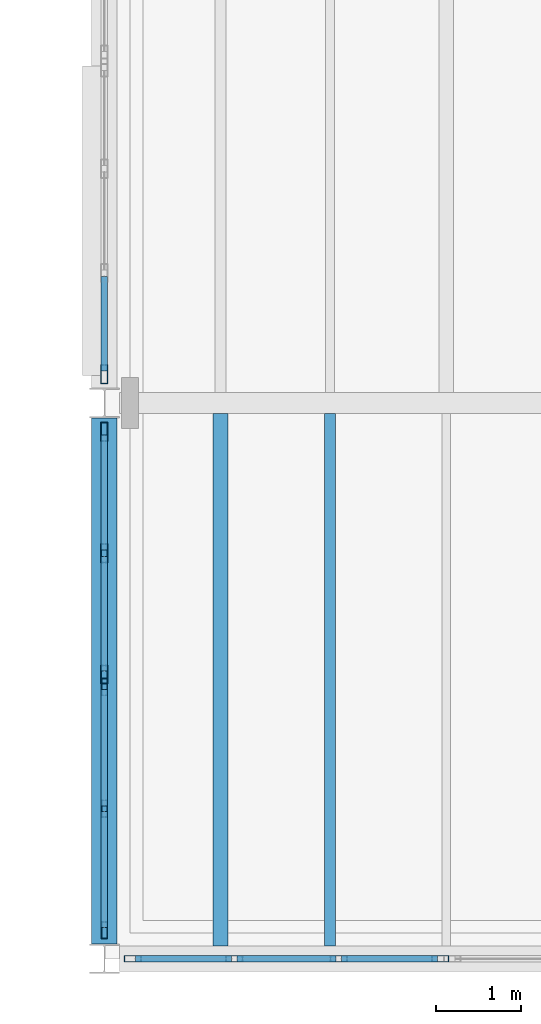
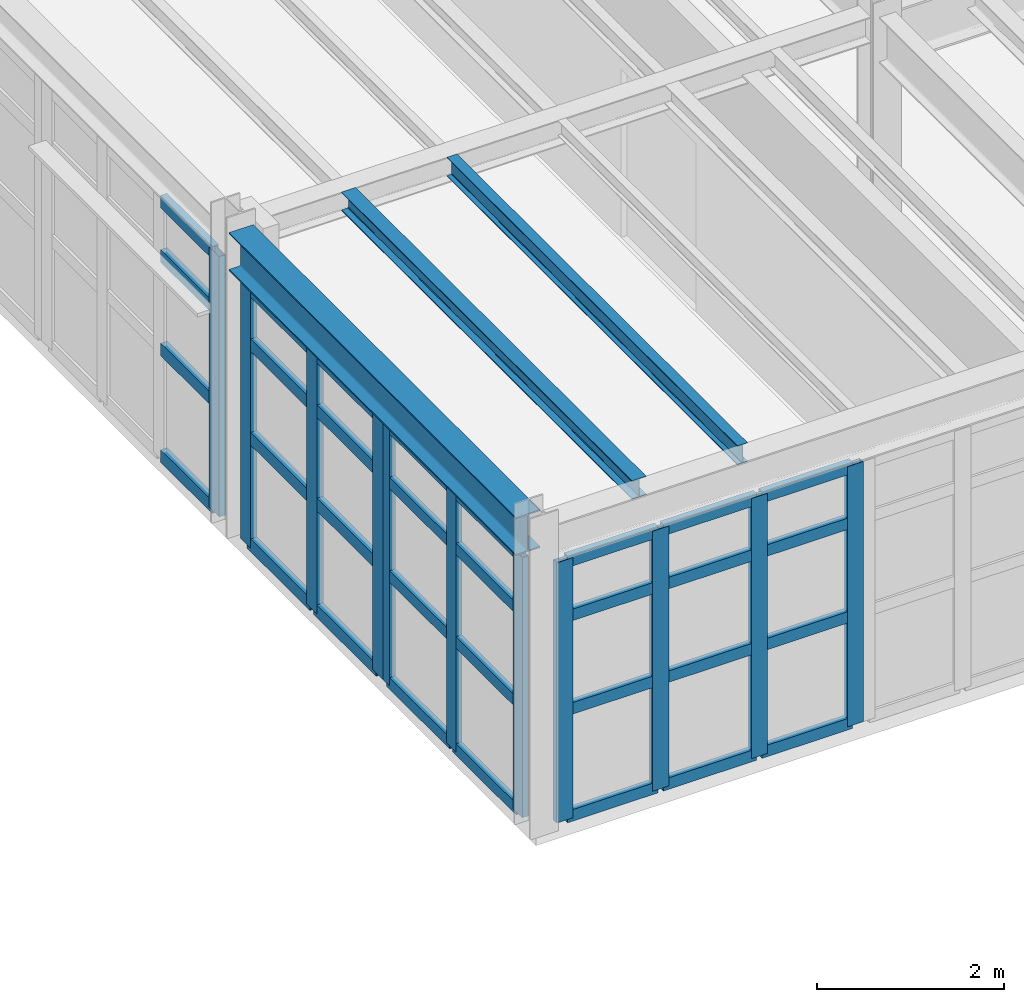
# One storey, part 26 of 77: 43 members, 3 beams, 4 elements without a shape of their own.
"""IFC4 building model written with IfcOpenShell, lengths in metres."""

from ifc_helpers import new_model, si_unit, direction, frame, origin, origin_2d, place, context, subcontext, project, spatial, hollow_rectangle, i_section, extrude, material, material_profile, profile_set, type_object, element, aggregate, save


model = new_model("IFC4")

# Units and contexts
model_context = context("Model", 3, precision=1e-05, world=origin(), true_north=direction((0.0, 1.0)))
body_context = subcontext(model_context, "Body", "Model", "MODEL_VIEW")
ifc_project = project(units=[si_unit("LENGTHUNIT", "METRE"), si_unit("AREAUNIT", "SQUARE_METRE"), si_unit("VOLUMEUNIT", "CUBIC_METRE"), si_unit("PLANEANGLEUNIT", "RADIAN"), si_unit("MASSUNIT", "GRAM", prefix="KILO"), si_unit("THERMODYNAMICTEMPERATUREUNIT", "KELVIN"), si_unit("POWERUNIT", "WATT")], contexts=[model_context])

# Site, building, storey
site_placement = place(None, origin())
site = spatial("IfcSite", under=ifc_project, at=site_placement, CompositionType="ELEMENT")
building_placement = place(site_placement, origin())
building = spatial("IfcBuilding", under=site, at=building_placement, Name="Zhenchuan Central Fire Station", CompositionType="ELEMENT")
storey_placement = place(building_placement, frame((0.0, 0.0, 10.050048828125)))
storey = spatial("IfcBuildingStorey", under=building, at=storey_placement, Name="L03", CompositionType="ELEMENT", Elevation=10.050048828125)

# Beam
ifc_material_1 = material(Name="Steel Q355B", Category="steel")
ifc_material_profile_1 = material_profile(ifc_material_1, i_section(OverallWidth=0.300048828125, OverallDepth=0.5, WebThickness=0.010986328125, FlangeThickness=0.01806640625, FilletRadius=0.02197265625, at=origin_2d()), Name="HM 500x300")
ifc_profile_set_1 = profile_set([ifc_material_profile_1], Name="Steel Q355B")
beam_type_1 = type_object("IfcBeamType", Name="BM-HM500-INT", PredefinedType="BEAM", material=ifc_profile_set_1)
beam_1_placement = place(storey_placement, frame((140.0, 0.175048828125, 3.75), z_axis=(0.0, 1.0, 0.0), x_axis=(-1.0, 0.0, 0.0)))
element("IfcBeam", 1, at=beam_1_placement, inside=storey, type_object=beam_type_1, Name="L04 Girder NS 0402", PredefinedType="BEAM", context=body_context, shape_type="SweptSolid", body=[
    extrude(i_section(OverallWidth=0.300048828125, OverallDepth=0.5, WebThickness=0.010986328125, FlangeThickness=0.01806640625, FilletRadius=0.02197265625, at=origin_2d()), origin(), (0.0, 0.0, 1.0), 6.14990234375),
])

# Curtain wall, members
ifc_material_2 = material(Name="Anodised aluminium and low-E glazing", Category="aluminium")
curtain_wall_type_1 = type_object("IfcCurtainWallType", Name="CW-MOD-05", PredefinedType="USERDEFINED", material=ifc_material_2)
curtain_wall_1_placement = place(storey_placement, origin())
curtain_wall_1 = element("IfcCurtainWall", 2, at=curtain_wall_1_placement, inside=storey, type_object=curtain_wall_type_1, Name="L03 Unitised Curtain Wall 100", ObjectType="UNITISED GLAZING", PredefinedType="USERDEFINED")
ifc_material_3 = material(Name="Anodised aluminium EN AW-6063", Category="aluminium")
ifc_material_profile_2 = material_profile(ifc_material_3, hollow_rectangle(XDim=0.074951171875, YDim=0.199951171875, WallThickness=0.0048828125, at=origin_2d()), Name="ALU-M 200x75")
ifc_profile_set_2 = profile_set([ifc_material_profile_2], Name="Anodised aluminium EN AW-6063")
member_type_1 = type_object("IfcMemberType", Name="CW-MUL160", PredefinedType="MULLION", material=ifc_profile_set_2)
member_1_placement = place(storey_placement, frame((140.33251953125, 0.0, -0.004150390625), z_axis=(0.0, 0.0, 1.0), x_axis=(0.0, 1.0, 0.0)))
member_1 = element("IfcMember", 3, at=member_1_placement, type_object=member_type_1, Name="CW-05 mullion 1", PredefinedType="MULLION", context=body_context, shape_type="SweptSolid", body=[
    extrude(hollow_rectangle(XDim=0.074951171875, YDim=0.199951171875, WallThickness=0.0048828125, at=origin_2d()), origin(), (0.0, 0.0, 1.0), 3.404052734375),
])
member_2_placement = place(storey_placement, frame((141.520751953125, 0.0, -0.004150390625), z_axis=(0.0, 0.0, 1.0), x_axis=(0.0, 1.0, 0.0)))
member_2 = element("IfcMember", 4, at=member_2_placement, type_object=member_type_1, Name="CW-05 mullion 2", PredefinedType="MULLION", context=body_context, shape_type="SweptSolid", body=[
    extrude(hollow_rectangle(XDim=0.074951171875, YDim=0.199951171875, WallThickness=0.0048828125, at=origin_2d()), origin(), (0.0, 0.0, 1.0), 3.404052734375),
])
member_3_placement = place(storey_placement, frame((142.741455078125, 0.0, -0.004150390625), z_axis=(0.0, 0.0, 1.0), x_axis=(0.0, 1.0, 0.0)))
member_3 = element("IfcMember", 5, at=member_3_placement, type_object=member_type_1, Name="CW-05 mullion 3", PredefinedType="MULLION", context=body_context, shape_type="SweptSolid", body=[
    extrude(hollow_rectangle(XDim=0.074951171875, YDim=0.199951171875, WallThickness=0.0048828125, at=origin_2d()), origin(), (0.0, 0.0, 1.0), 3.404052734375),
])
member_4_placement = place(storey_placement, frame((143.929443359375, 0.0, -0.004150390625), z_axis=(0.0, 0.0, 1.0), x_axis=(0.0, 1.0, 0.0)))
member_4 = element("IfcMember", 6, at=member_4_placement, type_object=member_type_1, Name="CW-05 mullion 4", PredefinedType="MULLION", context=body_context, shape_type="SweptSolid", body=[
    extrude(hollow_rectangle(XDim=0.074951171875, YDim=0.199951171875, WallThickness=0.0048828125, at=origin_2d()), origin(), (0.0, 0.0, 1.0), 3.404052734375),
])

curtain_wall_type_2 = type_object("IfcCurtainWallType", Name="CW-MOD-11", PredefinedType="USERDEFINED", material=ifc_material_2)
curtain_wall_2_placement = place(storey_placement, origin())
curtain_wall_2 = element("IfcCurtainWall", 7, at=curtain_wall_2_placement, inside=storey, type_object=curtain_wall_type_2, Name="L03 Unitised Curtain Wall 112", ObjectType="UNITISED GLAZING", PredefinedType="USERDEFINED")
member_5_placement = place(storey_placement, frame((140.0, 0.33251953125, -0.004150390625), z_axis=(0.0, 0.0, 1.0), x_axis=(-1.0, 0.0, 0.0)))
member_5 = element("IfcMember", 8, at=member_5_placement, type_object=member_type_1, Name="CW-11 mullion 1", PredefinedType="MULLION", context=body_context, shape_type="SweptSolid", body=[
    extrude(hollow_rectangle(XDim=0.074951171875, YDim=0.199951171875, WallThickness=0.0048828125, at=origin_2d()), origin(), (0.0, 0.0, 1.0), 3.404052734375),
])
member_6_placement = place(storey_placement, frame((140.0, 1.756103515625, -0.004150390625), z_axis=(0.0, 0.0, 1.0), x_axis=(-1.0, 0.0, 0.0)))
member_6 = element("IfcMember", 9, at=member_6_placement, type_object=member_type_1, Name="CW-11 mullion 2", PredefinedType="MULLION", context=body_context, shape_type="SweptSolid", body=[
    extrude(hollow_rectangle(XDim=0.074951171875, YDim=0.199951171875, WallThickness=0.0048828125, at=origin_2d()), origin(), (0.0, 0.0, 1.0), 3.404052734375),
])
member_7_placement = place(storey_placement, frame((140.0, 3.179443359375, -0.004150390625), z_axis=(0.0, 0.0, 1.0), x_axis=(-1.0, 0.0, 0.0)))
member_7 = element("IfcMember", 10, at=member_7_placement, type_object=member_type_1, Name="CW-11 mullion 3", PredefinedType="MULLION", context=body_context, shape_type="SweptSolid", body=[
    extrude(hollow_rectangle(XDim=0.074951171875, YDim=0.199951171875, WallThickness=0.0048828125, at=origin_2d()), origin(), (0.0, 0.0, 1.0), 3.404052734375),
])

curtain_wall_type_3 = type_object("IfcCurtainWallType", Name="CW-MOD-12", PredefinedType="USERDEFINED", material=ifc_material_2)
curtain_wall_3_placement = place(storey_placement, origin())
curtain_wall_3 = element("IfcCurtainWall", 11, at=curtain_wall_3_placement, inside=storey, type_object=curtain_wall_type_3, Name="L03 Unitised Curtain Wall 113", ObjectType="UNITISED GLAZING", PredefinedType="USERDEFINED")
ifc_material_profile_3 = material_profile(ifc_material_3, hollow_rectangle(XDim=0.080078125, YDim=0.219970703125, WallThickness=0.005615234375, at=origin_2d()), Name="ALU-M 220x80")
ifc_profile_set_3 = profile_set([ifc_material_profile_3], Name="Anodised aluminium EN AW-6063")
member_type_2 = type_object("IfcMemberType", Name="CW-MUL200", PredefinedType="MULLION", material=ifc_profile_set_3)
member_8_placement = place(storey_placement, frame((140.0, 3.325439453125, -0.004150390625), z_axis=(0.0, 0.0, 1.0), x_axis=(-1.0, 0.0, 0.0)))
member_8 = element("IfcMember", 12, at=member_8_placement, type_object=member_type_2, Name="CW-12 mullion 1", PredefinedType="MULLION", context=body_context, shape_type="SweptSolid", body=[
    extrude(hollow_rectangle(XDim=0.080078125, YDim=0.219970703125, WallThickness=0.005615234375, at=origin_2d()), origin(), (0.0, 0.0, 1.0), 3.404052734375),
])
member_9_placement = place(storey_placement, frame((140.0, 4.743896484375, -0.004150390625), z_axis=(0.0, 0.0, 1.0), x_axis=(-1.0, 0.0, 0.0)))
member_9 = element("IfcMember", 13, at=member_9_placement, type_object=member_type_2, Name="CW-12 mullion 2", PredefinedType="MULLION", context=body_context, shape_type="SweptSolid", body=[
    extrude(hollow_rectangle(XDim=0.080078125, YDim=0.219970703125, WallThickness=0.005615234375, at=origin_2d()), origin(), (0.0, 0.0, 1.0), 3.404052734375),
])
member_10_placement = place(storey_placement, frame((140.0, 6.16259765625, -0.004150390625), z_axis=(0.0, 0.0, 1.0), x_axis=(-1.0, 0.0, 0.0)))
member_10 = element("IfcMember", 14, at=member_10_placement, type_object=member_type_2, Name="CW-12 mullion 3", PredefinedType="MULLION", context=body_context, shape_type="SweptSolid", body=[
    extrude(hollow_rectangle(XDim=0.080078125, YDim=0.219970703125, WallThickness=0.005615234375, at=origin_2d()), origin(), (0.0, 0.0, 1.0), 3.404052734375),
])

# Curtain wall, member
curtain_wall_4_placement = place(storey_placement, origin())
curtain_wall_4 = element("IfcCurtainWall", 15, at=curtain_wall_4_placement, inside=storey, type_object=curtain_wall_type_3, Name="L03 Unitised Curtain Wall 114", ObjectType="UNITISED GLAZING", PredefinedType="USERDEFINED")
member_11_placement = place(storey_placement, frame((140.0, 6.83740234375, -0.004150390625), z_axis=(0.0, 0.0, 1.0), x_axis=(-1.0, 0.0, 0.0)))
member_11 = element("IfcMember", 16, at=member_11_placement, type_object=member_type_2, Name="CW-12 mullion 1", PredefinedType="MULLION", context=body_context, shape_type="SweptSolid", body=[
    extrude(hollow_rectangle(XDim=0.080078125, YDim=0.219970703125, WallThickness=0.005615234375, at=origin_2d()), origin(), (0.0, 0.0, 1.0), 3.404052734375),
])

# Member
ifc_material_profile_4 = material_profile(ifc_material_3, hollow_rectangle(XDim=0.074951171875, YDim=0.14990234375, WallThickness=0.0048828125, at=origin_2d()), Name="ALU-T 150x75")
ifc_profile_set_4 = profile_set([ifc_material_profile_4], Name="Anodised aluminium EN AW-6063")
member_type_3 = type_object("IfcMemberType", Name="CW-TRN130", PredefinedType="NOTDEFINED", material=ifc_profile_set_4)
member_12_placement = place(storey_placement, frame((140.364990234375, 0.0, 0.028564453125), z_axis=(1.0, 0.0, 0.0), x_axis=(0.0, 1.0, 0.0)))
member_12 = element("IfcMember", 17, at=member_12_placement, type_object=member_type_3, Name="CW-05 transom 1.1", ObjectType="TRANSOM", PredefinedType="USERDEFINED", context=body_context, shape_type="SweptSolid", body=[
    extrude(hollow_rectangle(XDim=0.074951171875, YDim=0.14990234375, WallThickness=0.0048828125, at=origin_2d()), origin(), (0.0, 0.0, 1.0), 1.123291015625),
])

member_13_placement = place(storey_placement, frame((140.364990234375, 0.0, 1.427978515625), z_axis=(1.0, 0.0, 0.0), x_axis=(0.0, 1.0, 0.0)))
member_13 = element("IfcMember", 18, at=member_13_placement, type_object=member_type_3, Name="CW-05 transom 1.2", ObjectType="TRANSOM", PredefinedType="USERDEFINED", context=body_context, shape_type="SweptSolid", body=[
    extrude(hollow_rectangle(XDim=0.074951171875, YDim=0.14990234375, WallThickness=0.0048828125, at=origin_2d()), origin(), (0.0, 0.0, 1.0), 1.123291015625),
])

member_14_placement = place(storey_placement, frame((140.364990234375, 0.0, 2.65185546875), z_axis=(1.0, 0.0, 0.0), x_axis=(0.0, 1.0, 0.0)))
member_14 = element("IfcMember", 19, at=member_14_placement, type_object=member_type_3, Name="CW-05 transom 1.3", ObjectType="TRANSOM", PredefinedType="USERDEFINED", context=body_context, shape_type="SweptSolid", body=[
    extrude(hollow_rectangle(XDim=0.074951171875, YDim=0.14990234375, WallThickness=0.0048828125, at=origin_2d()), origin(), (0.0, 0.0, 1.0), 1.123291015625),
])

member_15_placement = place(storey_placement, frame((140.364990234375, 0.0, 3.367431640625), z_axis=(1.0, 0.0, 0.0), x_axis=(0.0, 1.0, 0.0)))
member_15 = element("IfcMember", 20, at=member_15_placement, type_object=member_type_3, Name="CW-05 transom 1.4", ObjectType="TRANSOM", PredefinedType="USERDEFINED", context=body_context, shape_type="SweptSolid", body=[
    extrude(hollow_rectangle(XDim=0.074951171875, YDim=0.14990234375, WallThickness=0.0048828125, at=origin_2d()), origin(), (0.0, 0.0, 1.0), 1.123291015625),
])

member_16_placement = place(storey_placement, frame((141.55322265625, 0.0, 0.028564453125), z_axis=(1.0, 0.0, 0.0), x_axis=(0.0, 1.0, 0.0)))
member_16 = element("IfcMember", 21, at=member_16_placement, type_object=member_type_3, Name="CW-05 transom 2.1", ObjectType="TRANSOM", PredefinedType="USERDEFINED", context=body_context, shape_type="SweptSolid", body=[
    extrude(hollow_rectangle(XDim=0.074951171875, YDim=0.14990234375, WallThickness=0.0048828125, at=origin_2d()), origin(), (0.0, 0.0, 1.0), 1.155517578125),
])

member_17_placement = place(storey_placement, frame((141.55322265625, 0.0, 1.427978515625), z_axis=(1.0, 0.0, 0.0), x_axis=(0.0, 1.0, 0.0)))
member_17 = element("IfcMember", 22, at=member_17_placement, type_object=member_type_3, Name="CW-05 transom 2.2", ObjectType="TRANSOM", PredefinedType="USERDEFINED", context=body_context, shape_type="SweptSolid", body=[
    extrude(hollow_rectangle(XDim=0.074951171875, YDim=0.14990234375, WallThickness=0.0048828125, at=origin_2d()), origin(), (0.0, 0.0, 1.0), 1.155517578125),
])

member_18_placement = place(storey_placement, frame((141.55322265625, 0.0, 2.65185546875), z_axis=(1.0, 0.0, 0.0), x_axis=(0.0, 1.0, 0.0)))
member_18 = element("IfcMember", 23, at=member_18_placement, type_object=member_type_3, Name="CW-05 transom 2.3", ObjectType="TRANSOM", PredefinedType="USERDEFINED", context=body_context, shape_type="SweptSolid", body=[
    extrude(hollow_rectangle(XDim=0.074951171875, YDim=0.14990234375, WallThickness=0.0048828125, at=origin_2d()), origin(), (0.0, 0.0, 1.0), 1.155517578125),
])

member_19_placement = place(storey_placement, frame((141.55322265625, 0.0, 3.367431640625), z_axis=(1.0, 0.0, 0.0), x_axis=(0.0, 1.0, 0.0)))
member_19 = element("IfcMember", 24, at=member_19_placement, type_object=member_type_3, Name="CW-05 transom 2.4", ObjectType="TRANSOM", PredefinedType="USERDEFINED", context=body_context, shape_type="SweptSolid", body=[
    extrude(hollow_rectangle(XDim=0.074951171875, YDim=0.14990234375, WallThickness=0.0048828125, at=origin_2d()), origin(), (0.0, 0.0, 1.0), 1.155517578125),
])

member_20_placement = place(storey_placement, frame((142.77392578125, 0.0, 0.028564453125), z_axis=(1.0, 0.0, 0.0), x_axis=(0.0, 1.0, 0.0)))
member_20 = element("IfcMember", 25, at=member_20_placement, type_object=member_type_3, Name="CW-05 transom 3.1", ObjectType="TRANSOM", PredefinedType="USERDEFINED", context=body_context, shape_type="SweptSolid", body=[
    extrude(hollow_rectangle(XDim=0.074951171875, YDim=0.14990234375, WallThickness=0.0048828125, at=origin_2d()), origin(), (0.0, 0.0, 1.0), 1.123046875),
])

member_21_placement = place(storey_placement, frame((142.77392578125, 0.0, 1.427978515625), z_axis=(1.0, 0.0, 0.0), x_axis=(0.0, 1.0, 0.0)))
member_21 = element("IfcMember", 26, at=member_21_placement, type_object=member_type_3, Name="CW-05 transom 3.2", ObjectType="TRANSOM", PredefinedType="USERDEFINED", context=body_context, shape_type="SweptSolid", body=[
    extrude(hollow_rectangle(XDim=0.074951171875, YDim=0.14990234375, WallThickness=0.0048828125, at=origin_2d()), origin(), (0.0, 0.0, 1.0), 1.123046875),
])

member_22_placement = place(storey_placement, frame((142.77392578125, 0.0, 2.65185546875), z_axis=(1.0, 0.0, 0.0), x_axis=(0.0, 1.0, 0.0)))
member_22 = element("IfcMember", 27, at=member_22_placement, type_object=member_type_3, Name="CW-05 transom 3.3", ObjectType="TRANSOM", PredefinedType="USERDEFINED", context=body_context, shape_type="SweptSolid", body=[
    extrude(hollow_rectangle(XDim=0.074951171875, YDim=0.14990234375, WallThickness=0.0048828125, at=origin_2d()), origin(), (0.0, 0.0, 1.0), 1.123046875),
])

member_23_placement = place(storey_placement, frame((142.77392578125, 0.0, 3.367431640625), z_axis=(1.0, 0.0, 0.0), x_axis=(0.0, 1.0, 0.0)))
member_23 = element("IfcMember", 28, at=member_23_placement, type_object=member_type_3, Name="CW-05 transom 3.4", ObjectType="TRANSOM", PredefinedType="USERDEFINED", context=body_context, shape_type="SweptSolid", body=[
    extrude(hollow_rectangle(XDim=0.074951171875, YDim=0.14990234375, WallThickness=0.0048828125, at=origin_2d()), origin(), (0.0, 0.0, 1.0), 1.123046875),
])

aggregate(curtain_wall_1, [member_1, member_2, member_3, member_4, member_12, member_13, member_14, member_15, member_16, member_17, member_18, member_19, member_20, member_21, member_22, member_23])

member_24_placement = place(storey_placement, frame((140.0, 0.364990234375, 0.028564453125), z_axis=(0.0, 1.0, 0.0), x_axis=(-1.0, 0.0, 0.0)))
member_24 = element("IfcMember", 29, at=member_24_placement, type_object=member_type_3, Name="CW-11 transom 1.1", ObjectType="TRANSOM", PredefinedType="USERDEFINED", context=body_context, shape_type="SweptSolid", body=[
    extrude(hollow_rectangle(XDim=0.074951171875, YDim=0.14990234375, WallThickness=0.0048828125, at=origin_2d()), origin(), (0.0, 0.0, 1.0), 1.3583984375),
])

member_25_placement = place(storey_placement, frame((140.0, 0.364990234375, 1.427978515625), z_axis=(0.0, 1.0, 0.0), x_axis=(-1.0, 0.0, 0.0)))
member_25 = element("IfcMember", 30, at=member_25_placement, type_object=member_type_3, Name="CW-11 transom 1.2", ObjectType="TRANSOM", PredefinedType="USERDEFINED", context=body_context, shape_type="SweptSolid", body=[
    extrude(hollow_rectangle(XDim=0.074951171875, YDim=0.14990234375, WallThickness=0.0048828125, at=origin_2d()), origin(), (0.0, 0.0, 1.0), 1.3583984375),
])

member_26_placement = place(storey_placement, frame((140.0, 0.364990234375, 2.65185546875), z_axis=(0.0, 1.0, 0.0), x_axis=(-1.0, 0.0, 0.0)))
member_26 = element("IfcMember", 31, at=member_26_placement, type_object=member_type_3, Name="CW-11 transom 1.3", ObjectType="TRANSOM", PredefinedType="USERDEFINED", context=body_context, shape_type="SweptSolid", body=[
    extrude(hollow_rectangle(XDim=0.074951171875, YDim=0.14990234375, WallThickness=0.0048828125, at=origin_2d()), origin(), (0.0, 0.0, 1.0), 1.3583984375),
])

member_27_placement = place(storey_placement, frame((140.0, 0.364990234375, 3.367431640625), z_axis=(0.0, 1.0, 0.0), x_axis=(-1.0, 0.0, 0.0)))
member_27 = element("IfcMember", 32, at=member_27_placement, type_object=member_type_3, Name="CW-11 transom 1.4", ObjectType="TRANSOM", PredefinedType="USERDEFINED", context=body_context, shape_type="SweptSolid", body=[
    extrude(hollow_rectangle(XDim=0.074951171875, YDim=0.14990234375, WallThickness=0.0048828125, at=origin_2d()), origin(), (0.0, 0.0, 1.0), 1.3583984375),
])

member_28_placement = place(storey_placement, frame((140.0, 1.78857421875, 0.028564453125), z_axis=(0.0, 1.0, 0.0), x_axis=(-1.0, 0.0, 0.0)))
member_28 = element("IfcMember", 33, at=member_28_placement, type_object=member_type_3, Name="CW-11 transom 2.1", ObjectType="TRANSOM", PredefinedType="USERDEFINED", context=body_context, shape_type="SweptSolid", body=[
    extrude(hollow_rectangle(XDim=0.074951171875, YDim=0.14990234375, WallThickness=0.0048828125, at=origin_2d()), origin(), (0.0, 0.0, 1.0), 1.3583984375),
])

member_29_placement = place(storey_placement, frame((140.0, 1.78857421875, 1.427978515625), z_axis=(0.0, 1.0, 0.0), x_axis=(-1.0, 0.0, 0.0)))
member_29 = element("IfcMember", 34, at=member_29_placement, type_object=member_type_3, Name="CW-11 transom 2.2", ObjectType="TRANSOM", PredefinedType="USERDEFINED", context=body_context, shape_type="SweptSolid", body=[
    extrude(hollow_rectangle(XDim=0.074951171875, YDim=0.14990234375, WallThickness=0.0048828125, at=origin_2d()), origin(), (0.0, 0.0, 1.0), 1.3583984375),
])

member_30_placement = place(storey_placement, frame((140.0, 1.78857421875, 2.65185546875), z_axis=(0.0, 1.0, 0.0), x_axis=(-1.0, 0.0, 0.0)))
member_30 = element("IfcMember", 35, at=member_30_placement, type_object=member_type_3, Name="CW-11 transom 2.3", ObjectType="TRANSOM", PredefinedType="USERDEFINED", context=body_context, shape_type="SweptSolid", body=[
    extrude(hollow_rectangle(XDim=0.074951171875, YDim=0.14990234375, WallThickness=0.0048828125, at=origin_2d()), origin(), (0.0, 0.0, 1.0), 1.3583984375),
])

member_31_placement = place(storey_placement, frame((140.0, 1.78857421875, 3.367431640625), z_axis=(0.0, 1.0, 0.0), x_axis=(-1.0, 0.0, 0.0)))
member_31 = element("IfcMember", 36, at=member_31_placement, type_object=member_type_3, Name="CW-11 transom 2.4", ObjectType="TRANSOM", PredefinedType="USERDEFINED", context=body_context, shape_type="SweptSolid", body=[
    extrude(hollow_rectangle(XDim=0.074951171875, YDim=0.14990234375, WallThickness=0.0048828125, at=origin_2d()), origin(), (0.0, 0.0, 1.0), 1.3583984375),
])

aggregate(curtain_wall_2, [member_5, member_6, member_7, member_24, member_25, member_26, member_27, member_28, member_29, member_30, member_31])

ifc_material_profile_5 = material_profile(ifc_material_3, hollow_rectangle(XDim=0.080078125, YDim=0.1650390625, WallThickness=0.0048828125, at=origin_2d()), Name="ALU-T 165x80")
ifc_profile_set_5 = profile_set([ifc_material_profile_5], Name="Anodised aluminium EN AW-6063")
member_type_4 = type_object("IfcMemberType", Name="CW-TRN150", PredefinedType="NOTDEFINED", material=ifc_profile_set_5)
member_32_placement = place(storey_placement, frame((140.0, 3.363037109375, 0.033447265625), z_axis=(0.0, 1.0, 0.0), x_axis=(-1.0, 0.0, 0.0)))
member_32 = element("IfcMember", 37, at=member_32_placement, type_object=member_type_4, Name="CW-12 transom 1.1", ObjectType="TRANSOM", PredefinedType="USERDEFINED", context=body_context, shape_type="SweptSolid", body=[
    extrude(hollow_rectangle(XDim=0.080078125, YDim=0.1650390625, WallThickness=0.0048828125, at=origin_2d()), origin(), (0.0, 0.0, 1.0), 1.343505859375),
])

member_33_placement = place(storey_placement, frame((140.0, 3.363037109375, 1.427978515625), z_axis=(0.0, 1.0, 0.0), x_axis=(-1.0, 0.0, 0.0)))
member_33 = element("IfcMember", 38, at=member_33_placement, type_object=member_type_4, Name="CW-12 transom 1.2", ObjectType="TRANSOM", PredefinedType="USERDEFINED", context=body_context, shape_type="SweptSolid", body=[
    extrude(hollow_rectangle(XDim=0.080078125, YDim=0.1650390625, WallThickness=0.0048828125, at=origin_2d()), origin(), (0.0, 0.0, 1.0), 1.343505859375),
])

member_34_placement = place(storey_placement, frame((140.0, 3.363037109375, 2.65185546875), z_axis=(0.0, 1.0, 0.0), x_axis=(-1.0, 0.0, 0.0)))
member_34 = element("IfcMember", 39, at=member_34_placement, type_object=member_type_4, Name="CW-12 transom 1.3", ObjectType="TRANSOM", PredefinedType="USERDEFINED", context=body_context, shape_type="SweptSolid", body=[
    extrude(hollow_rectangle(XDim=0.080078125, YDim=0.1650390625, WallThickness=0.0048828125, at=origin_2d()), origin(), (0.0, 0.0, 1.0), 1.343505859375),
])

member_35_placement = place(storey_placement, frame((140.0, 3.363037109375, 3.362548828125), z_axis=(0.0, 1.0, 0.0), x_axis=(-1.0, 0.0, 0.0)))
member_35 = element("IfcMember", 40, at=member_35_placement, type_object=member_type_4, Name="CW-12 transom 1.4", ObjectType="TRANSOM", PredefinedType="USERDEFINED", context=body_context, shape_type="SweptSolid", body=[
    extrude(hollow_rectangle(XDim=0.080078125, YDim=0.1650390625, WallThickness=0.0048828125, at=origin_2d()), origin(), (0.0, 0.0, 1.0), 1.343505859375),
])

member_36_placement = place(storey_placement, frame((140.0, 4.781494140625, 0.033447265625), z_axis=(0.0, 1.0, 0.0), x_axis=(-1.0, 0.0, 0.0)))
member_36 = element("IfcMember", 41, at=member_36_placement, type_object=member_type_4, Name="CW-12 transom 2.1", ObjectType="TRANSOM", PredefinedType="USERDEFINED", context=body_context, shape_type="SweptSolid", body=[
    extrude(hollow_rectangle(XDim=0.080078125, YDim=0.1650390625, WallThickness=0.0048828125, at=origin_2d()), origin(), (0.0, 0.0, 1.0), 1.343505859375),
])

member_37_placement = place(storey_placement, frame((140.0, 4.781494140625, 1.427978515625), z_axis=(0.0, 1.0, 0.0), x_axis=(-1.0, 0.0, 0.0)))
member_37 = element("IfcMember", 42, at=member_37_placement, type_object=member_type_4, Name="CW-12 transom 2.2", ObjectType="TRANSOM", PredefinedType="USERDEFINED", context=body_context, shape_type="SweptSolid", body=[
    extrude(hollow_rectangle(XDim=0.080078125, YDim=0.1650390625, WallThickness=0.0048828125, at=origin_2d()), origin(), (0.0, 0.0, 1.0), 1.343505859375),
])

member_38_placement = place(storey_placement, frame((140.0, 4.781494140625, 2.65185546875), z_axis=(0.0, 1.0, 0.0), x_axis=(-1.0, 0.0, 0.0)))
member_38 = element("IfcMember", 43, at=member_38_placement, type_object=member_type_4, Name="CW-12 transom 2.3", ObjectType="TRANSOM", PredefinedType="USERDEFINED", context=body_context, shape_type="SweptSolid", body=[
    extrude(hollow_rectangle(XDim=0.080078125, YDim=0.1650390625, WallThickness=0.0048828125, at=origin_2d()), origin(), (0.0, 0.0, 1.0), 1.343505859375),
])

member_39_placement = place(storey_placement, frame((140.0, 4.781494140625, 3.362548828125), z_axis=(0.0, 1.0, 0.0), x_axis=(-1.0, 0.0, 0.0)))
member_39 = element("IfcMember", 44, at=member_39_placement, type_object=member_type_4, Name="CW-12 transom 2.4", ObjectType="TRANSOM", PredefinedType="USERDEFINED", context=body_context, shape_type="SweptSolid", body=[
    extrude(hollow_rectangle(XDim=0.080078125, YDim=0.1650390625, WallThickness=0.0048828125, at=origin_2d()), origin(), (0.0, 0.0, 1.0), 1.343505859375),
])

aggregate(curtain_wall_3, [member_8, member_9, member_10, member_32, member_33, member_34, member_35, member_36, member_37, member_38, member_39])

member_40_placement = place(storey_placement, frame((140.0, 6.875, 0.033447265625), z_axis=(0.0, 1.0, 0.0), x_axis=(-1.0, 0.0, 0.0)))
member_40 = element("IfcMember", 45, at=member_40_placement, type_object=member_type_4, Name="CW-12 transom 1.1", ObjectType="TRANSOM", PredefinedType="USERDEFINED", context=body_context, shape_type="SweptSolid", body=[
    extrude(hollow_rectangle(XDim=0.080078125, YDim=0.1650390625, WallThickness=0.0048828125, at=origin_2d()), origin(), (0.0, 0.0, 1.0), 1.108154296875),
])

member_41_placement = place(storey_placement, frame((140.0, 6.875, 1.427978515625), z_axis=(0.0, 1.0, 0.0), x_axis=(-1.0, 0.0, 0.0)))
member_41 = element("IfcMember", 46, at=member_41_placement, type_object=member_type_4, Name="CW-12 transom 1.2", ObjectType="TRANSOM", PredefinedType="USERDEFINED", context=body_context, shape_type="SweptSolid", body=[
    extrude(hollow_rectangle(XDim=0.080078125, YDim=0.1650390625, WallThickness=0.0048828125, at=origin_2d()), origin(), (0.0, 0.0, 1.0), 1.108154296875),
])

member_42_placement = place(storey_placement, frame((140.0, 6.875, 2.65185546875), z_axis=(0.0, 1.0, 0.0), x_axis=(-1.0, 0.0, 0.0)))
member_42 = element("IfcMember", 47, at=member_42_placement, type_object=member_type_4, Name="CW-12 transom 1.3", ObjectType="TRANSOM", PredefinedType="USERDEFINED", context=body_context, shape_type="SweptSolid", body=[
    extrude(hollow_rectangle(XDim=0.080078125, YDim=0.1650390625, WallThickness=0.0048828125, at=origin_2d()), origin(), (0.0, 0.0, 1.0), 1.108154296875),
])

member_43_placement = place(storey_placement, frame((140.0, 6.875, 3.362548828125), z_axis=(0.0, 1.0, 0.0), x_axis=(-1.0, 0.0, 0.0)))
member_43 = element("IfcMember", 48, at=member_43_placement, type_object=member_type_4, Name="CW-12 transom 1.4", ObjectType="TRANSOM", PredefinedType="USERDEFINED", context=body_context, shape_type="SweptSolid", body=[
    extrude(hollow_rectangle(XDim=0.080078125, YDim=0.1650390625, WallThickness=0.0048828125, at=origin_2d()), origin(), (0.0, 0.0, 1.0), 1.108154296875),
])

aggregate(curtain_wall_4, [member_11, member_40, member_41, member_42, member_43])

# Beams
ifc_material_profile_6 = material_profile(ifc_material_1, i_section(OverallWidth=0.175048828125, OverallDepth=0.243896484375, WebThickness=0.007080078125, FlangeThickness=0.010986328125, FilletRadius=0.012939453125, at=origin_2d()), Name="HM 244x175")
ifc_profile_set_6 = profile_set([ifc_material_profile_6], Name="Steel Q355B")
beam_type_2 = type_object("IfcBeamType", Name="JS-HM244", PredefinedType="JOIST", material=ifc_profile_set_6)
beam_2_placement = place(storey_placement, frame((141.360107421875, 0.14697265625, 3.8779296875), z_axis=(0.0, 1.0, 0.0), x_axis=(-1.0, 0.0, 0.0)))
element("IfcBeam", 49, at=beam_2_placement, inside=storey, type_object=beam_type_2, Name="L04 Secondary Joist 0570", PredefinedType="JOIST", context=body_context, shape_type="SweptSolid", body=[
    extrude(i_section(OverallWidth=0.175048828125, OverallDepth=0.243896484375, WebThickness=0.007080078125, FlangeThickness=0.010986328125, FilletRadius=0.012939453125, at=origin_2d()), origin(), (0.0, 0.0, 1.0), 6.23095703125),
])
ifc_material_profile_7 = material_profile(ifc_material_1, i_section(OverallWidth=0.125, OverallDepth=0.25, WebThickness=0.006103515625, FlangeThickness=0.009033203125, FilletRadius=0.011962890625, at=origin_2d()), Name="HN 250x125")
ifc_profile_set_7 = profile_set([ifc_material_profile_7], Name="Steel Q355B")
beam_type_3 = type_object("IfcBeamType", Name="JS-HN250", PredefinedType="JOIST", material=ifc_profile_set_7)
beam_3_placement = place(storey_placement, frame((142.639892578125, 0.14697265625, 3.875), z_axis=(0.0, 1.0, 0.0), x_axis=(-1.0, 0.0, 0.0)))
element("IfcBeam", 50, at=beam_3_placement, inside=storey, type_object=beam_type_3, Name="L04 Secondary Joist 0571", PredefinedType="JOIST", context=body_context, shape_type="SweptSolid", body=[
    extrude(i_section(OverallWidth=0.125, OverallDepth=0.25, WebThickness=0.006103515625, FlangeThickness=0.009033203125, FilletRadius=0.011962890625, at=origin_2d()), origin(), (0.0, 0.0, 1.0), 6.23095703125),
])

save(model, "model.ifc")
